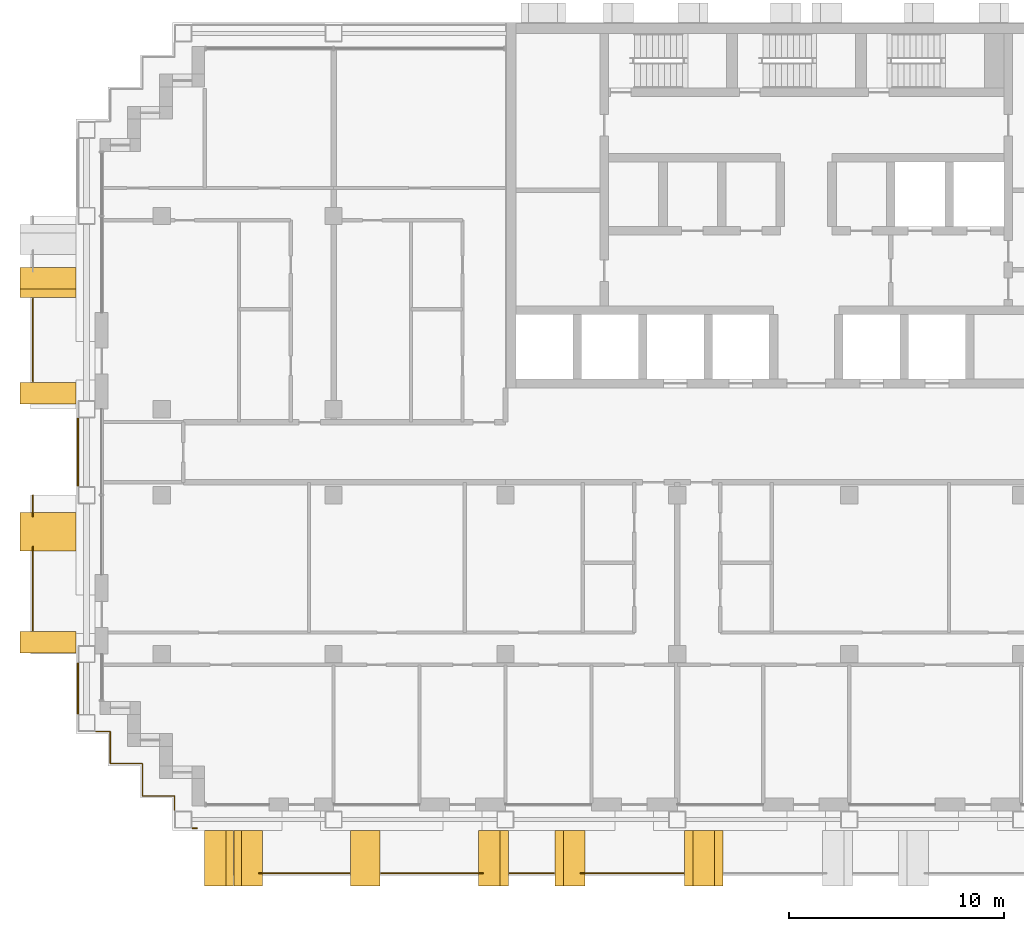
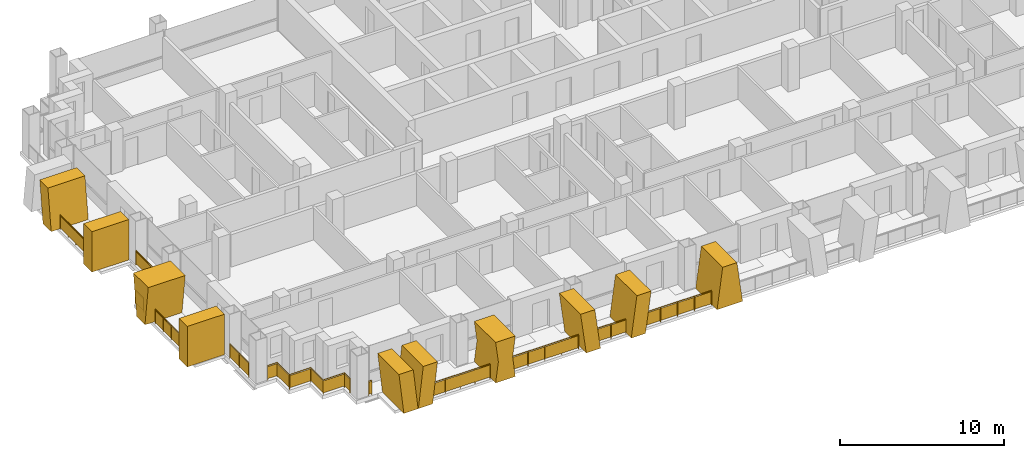
# One storey, part 13 of 17: 11 railings, 10 shading devices.
"""IFC4 building model written with IfcOpenShell, lengths in metres."""

from ifc_helpers import new_model, si_unit, direction, frame, origin, origin_2d, place, context, subcontext, project, spatial, polyline, rectangle, circle, outline, extrude, material, layer, layer_set, type_object, element, save


model = new_model("IFC4")

# Units and contexts
model_context = context("Model", 3, precision=1e-05, world=origin(), true_north=direction((0.0, 1.0)))
body_context = subcontext(model_context, "Body", "Model", "MODEL_VIEW")
ifc_project = project(units=[si_unit("LENGTHUNIT", "METRE"), si_unit("AREAUNIT", "SQUARE_METRE"), si_unit("VOLUMEUNIT", "CUBIC_METRE"), si_unit("PLANEANGLEUNIT", "RADIAN"), si_unit("MASSUNIT", "GRAM", prefix="KILO")], contexts=[model_context])

# Site, building, storey
site_placement = place(None, origin())
site = spatial("IfcSite", under=ifc_project, at=site_placement, CompositionType="ELEMENT")
building_placement = place(site_placement, origin())
building = spatial("IfcBuilding", under=site, at=building_placement, Name="Vidyagriha Tower", CompositionType="ELEMENT")
storey_placement = place(building_placement, frame((0.0, 0.0, 148.60009765625)))
storey = spatial("IfcBuildingStorey", under=building, at=storey_placement, Name="L39", CompositionType="ELEMENT", Elevation=148.60009765625)

# Railings
ifc_material_1 = material(Name="Steel ASTM A500 Grade C black painted", Category="steel")
railing_type_1 = type_object("IfcRailingType", Name="Balcony guard 1100", PredefinedType="BALUSTRADE", material=ifc_material_1)
railing_1_placement = place(storey_placement, frame((-36.0, 7.14990234375, 0.0)))
element("IfcRailing", 1, at=railing_1_placement, inside=storey, type_object=railing_type_1, Name="Balcony guard L39 R16.1-3", PredefinedType="BALUSTRADE", context=body_context, shape_type="SweptSolid", body=[
    extrude(circle(Radius=0.02490234375, at=origin_2d()), frame((0.0, 0.0, 1.0751953125), z_axis=(0.0, -1.0, 0.0), x_axis=(1.0, 0.0, 0.0)), (0.0, 0.0, 1.0), 3.849853515625),
    extrude(circle(Radius=0.02001953125, at=origin_2d()), origin(), (0.0, 0.0, 1.0), 1.050048828125),
    extrude(circle(Radius=0.02001953125, at=origin_2d()), frame((0.0, -0.96240234375, 0.0)), (0.0, 0.0, 1.0), 1.050048828125),
    extrude(circle(Radius=0.02001953125, at=origin_2d()), frame((0.0, -1.9248046875, 0.0)), (0.0, 0.0, 1.0), 1.050048828125),
    extrude(circle(Radius=0.02001953125, at=origin_2d()), frame((0.0, -2.887451171875, 0.0)), (0.0, 0.0, 1.0), 1.050048828125),
    extrude(circle(Radius=0.02001953125, at=origin_2d()), frame((0.0, -3.849853515625, 0.0)), (0.0, 0.0, 1.0), 1.050048828125),
    extrude(rectangle(XDim=0.010009765625, YDim=0.900146484375, at=origin_2d()), frame((0.0, 0.0, 0.550048828125), z_axis=(0.0, -1.0, 0.0), x_axis=(1.0, 0.0, 0.0)), (0.0, 0.0, 1.0), 3.849853515625),
])
railing_2_placement = place(storey_placement, frame((-36.0, -2.0, 0.0)))
element("IfcRailing", 2, at=railing_2_placement, inside=storey, type_object=railing_type_1, Name="Balcony guard L39 R16.2-1", PredefinedType="BALUSTRADE", context=body_context, shape_type="SweptSolid", body=[
    extrude(circle(Radius=0.02490234375, at=origin_2d()), frame((0.0, 0.0, 1.0751953125), z_axis=(0.0, -1.0, 0.0), x_axis=(1.0, 0.0, 0.0)), (0.0, 0.0, 1.0), 0.99658203125),
    extrude(circle(Radius=0.02001953125, at=origin_2d()), origin(), (0.0, 0.0, 1.0), 1.050048828125),
    extrude(circle(Radius=0.02001953125, at=origin_2d()), frame((0.0, -0.99658203125, 0.0)), (0.0, 0.0, 1.0), 1.050048828125),
    extrude(rectangle(XDim=0.010009765625, YDim=0.900146484375, at=origin_2d()), frame((0.0, 0.0, 0.550048828125), z_axis=(0.0, -1.0, 0.0), x_axis=(1.0, 0.0, 0.0)), (0.0, 0.0, 1.0), 0.99658203125),
])
railing_3_placement = place(storey_placement, frame((-36.0, -4.4033203125, 0.0)))
element("IfcRailing", 3, at=railing_3_placement, inside=storey, type_object=railing_type_1, Name="Balcony guard L39 R16.2-2", PredefinedType="BALUSTRADE", context=body_context, shape_type="SweptSolid", body=[
    extrude(circle(Radius=0.02490234375, at=origin_2d()), frame((0.0, 0.0, 1.0751953125), z_axis=(0.0, -1.0, 0.0), x_axis=(1.0, 0.0, 0.0)), (0.0, 0.0, 1.0), 3.896728515625),
    extrude(circle(Radius=0.02001953125, at=origin_2d()), origin(), (0.0, 0.0, 1.0), 1.050048828125),
    extrude(circle(Radius=0.02001953125, at=origin_2d()), frame((0.0, -0.97412109375, 0.0)), (0.0, 0.0, 1.0), 1.050048828125),
    extrude(circle(Radius=0.02001953125, at=origin_2d()), frame((0.0, -1.9482421875, 0.0)), (0.0, 0.0, 1.0), 1.050048828125),
    extrude(circle(Radius=0.02001953125, at=origin_2d()), frame((0.0, -2.922607421875, 0.0)), (0.0, 0.0, 1.0), 1.050048828125),
    extrude(circle(Radius=0.02001953125, at=origin_2d()), frame((0.0, -3.896728515625, 0.0)), (0.0, 0.0, 1.0), 1.050048828125),
    extrude(rectangle(XDim=0.010009765625, YDim=0.900146484375, at=origin_2d()), frame((0.0, 0.0, 0.550048828125), z_axis=(0.0, -1.0, 0.0), x_axis=(1.0, 0.0, 0.0)), (0.0, 0.0, 1.0), 3.896728515625),
])
railing_4_placement = place(storey_placement, frame((-25.459716796875, -19.60009765625, 0.0)))
element("IfcRailing", 4, at=railing_4_placement, inside=storey, type_object=railing_type_1, Name="Balcony guard L39 R23.1-1", PredefinedType="BALUSTRADE", context=body_context, shape_type="SweptSolid", body=[
    extrude(circle(Radius=0.02490234375, at=origin_2d()), frame((0.0, 0.0, 1.0751953125), z_axis=(1.0, 0.0, 0.0), x_axis=(0.0, 1.0, 0.0)), (0.0, 0.0, 1.0), 4.193115234375),
    extrude(circle(Radius=0.02001953125, at=origin_2d()), origin(), (0.0, 0.0, 1.0), 1.050048828125),
    extrude(circle(Radius=0.02001953125, at=origin_2d()), frame((1.04833984375, 0.0, 0.0)), (0.0, 0.0, 1.0), 1.050048828125),
    extrude(circle(Radius=0.02001953125, at=origin_2d()), frame((2.0966796875, 0.0, 0.0)), (0.0, 0.0, 1.0), 1.050048828125),
    extrude(circle(Radius=0.02001953125, at=origin_2d()), frame((3.144775390625, 0.0, 0.0)), (0.0, 0.0, 1.0), 1.050048828125),
    extrude(circle(Radius=0.02001953125, at=origin_2d()), frame((4.193115234375, 0.0, 0.0)), (0.0, 0.0, 1.0), 1.050048828125),
    extrude(rectangle(XDim=0.010009765625, YDim=0.900146484375, at=origin_2d()), frame((0.0, 0.0, 0.550048828125), z_axis=(1.0, 0.0, 0.0), x_axis=(0.0, 1.0, 0.0)), (0.0, 0.0, 1.0), 4.193115234375),
])
railing_5_placement = place(storey_placement, frame((-19.783203125, -19.60009765625, 0.0)))
element("IfcRailing", 5, at=railing_5_placement, inside=storey, type_object=railing_type_1, Name="Balcony guard L39 R23.1-2", PredefinedType="BALUSTRADE", context=body_context, shape_type="SweptSolid", body=[
    extrude(circle(Radius=0.02490234375, at=origin_2d()), frame((0.0, 0.0, 1.0751953125), z_axis=(1.0, 0.0, 0.0), x_axis=(0.0, 1.0, 0.0)), (0.0, 0.0, 1.0), 4.726806640625),
    extrude(circle(Radius=0.02001953125, at=origin_2d()), origin(), (0.0, 0.0, 1.0), 1.050048828125),
    extrude(circle(Radius=0.02001953125, at=origin_2d()), frame((1.181640625, 0.0, 0.0)), (0.0, 0.0, 1.0), 1.050048828125),
    extrude(circle(Radius=0.02001953125, at=origin_2d()), frame((2.36328125, 0.0, 0.0)), (0.0, 0.0, 1.0), 1.050048828125),
    extrude(circle(Radius=0.02001953125, at=origin_2d()), frame((3.545166015625, 0.0, 0.0)), (0.0, 0.0, 1.0), 1.050048828125),
    extrude(circle(Radius=0.02001953125, at=origin_2d()), frame((4.726806640625, 0.0, 0.0)), (0.0, 0.0, 1.0), 1.050048828125),
    extrude(rectangle(XDim=0.010009765625, YDim=0.900146484375, at=origin_2d()), frame((0.0, 0.0, 0.550048828125), z_axis=(1.0, 0.0, 0.0), x_axis=(0.0, 1.0, 0.0)), (0.0, 0.0, 1.0), 4.726806640625),
])
railing_6_placement = place(storey_placement, frame((-13.804931640625, -19.60009765625, 0.0)))
element("IfcRailing", 6, at=railing_6_placement, inside=storey, type_object=railing_type_1, Name="Balcony guard L39 R23.1-3", PredefinedType="BALUSTRADE", context=body_context, shape_type="SweptSolid", body=[
    extrude(circle(Radius=0.02490234375, at=origin_2d()), frame((0.0, 0.0, 1.0751953125), z_axis=(1.0, 0.0, 0.0), x_axis=(0.0, 1.0, 0.0)), (0.0, 0.0, 1.0), 2.059814453125),
    extrude(circle(Radius=0.02001953125, at=origin_2d()), origin(), (0.0, 0.0, 1.0), 1.050048828125),
    extrude(circle(Radius=0.02001953125, at=origin_2d()), frame((1.02978515625, 0.0, 0.0)), (0.0, 0.0, 1.0), 1.050048828125),
    extrude(circle(Radius=0.02001953125, at=origin_2d()), frame((2.059814453125, 0.0, 0.0)), (0.0, 0.0, 1.0), 1.050048828125),
    extrude(rectangle(XDim=0.010009765625, YDim=0.900146484375, at=origin_2d()), frame((0.0, 0.0, 0.550048828125), z_axis=(1.0, 0.0, 0.0), x_axis=(0.0, 1.0, 0.0)), (0.0, 0.0, 1.0), 2.059814453125),
])
railing_7_placement = place(storey_placement, frame((-10.49365234375, -19.60009765625, 0.0)))
element("IfcRailing", 7, at=railing_7_placement, inside=storey, type_object=railing_type_1, Name="Balcony guard L39 R23.1-4", PredefinedType="BALUSTRADE", context=body_context, shape_type="SweptSolid", body=[
    extrude(circle(Radius=0.02490234375, at=origin_2d()), frame((0.0, 0.0, 1.0751953125), z_axis=(1.0, 0.0, 0.0), x_axis=(0.0, 1.0, 0.0)), (0.0, 0.0, 1.0), 4.773681640625),
    extrude(circle(Radius=0.02001953125, at=origin_2d()), origin(), (0.0, 0.0, 1.0), 1.050048828125),
    extrude(circle(Radius=0.02001953125, at=origin_2d()), frame((1.193359375, 0.0, 0.0)), (0.0, 0.0, 1.0), 1.050048828125),
    extrude(circle(Radius=0.02001953125, at=origin_2d()), frame((2.38671875, 0.0, 0.0)), (0.0, 0.0, 1.0), 1.050048828125),
    extrude(circle(Radius=0.02001953125, at=origin_2d()), frame((3.580322265625, 0.0, 0.0)), (0.0, 0.0, 1.0), 1.050048828125),
    extrude(circle(Radius=0.02001953125, at=origin_2d()), frame((4.773681640625, 0.0, 0.0)), (0.0, 0.0, 1.0), 1.050048828125),
    extrude(rectangle(XDim=0.010009765625, YDim=0.900146484375, at=origin_2d()), frame((0.0, 0.0, 0.550048828125), z_axis=(1.0, 0.0, 0.0), x_axis=(0.0, 1.0, 0.0)), (0.0, 0.0, 1.0), 4.773681640625),
])

# Shading devices
ifc_material_2 = material(Name="Precast concrete C40/50 with buff brick facing", Category="concrete")
ifc_layer_1 = layer(ifc_material_2, 1.0)
ifc_layer_set_1 = layer_set([ifc_layer_1], Name="Precast concrete C40/50 with buff brick facing")
shading_device_type_1 = type_object("IfcShadingDeviceType", Name="Brick-faced blade fin arm leaning 8 degrees", PredefinedType="USERDEFINED", material=ifc_layer_set_1)
shading_device_1_placement = place(storey_placement, frame((-35.300048828125, 8.60009765625, 0.0), z_axis=(0.0, 0.0, 1.0), x_axis=(0.0, -1.0, 0.0)))
element("IfcShadingDevice", 8, at=shading_device_1_placement, inside=storey, type_object=shading_device_type_1, Name="Leaning blade fin L39 R16.300a", ObjectType="BLADE FIN", PredefinedType="USERDEFINED", context=body_context, shape_type="SweptSolid", body=[
    extrude(outline(polyline([(0.39990234375, 0.0), (1.39990234375, 0.0), (1.0, 3.0), (0.0, 3.0), (0.39990234375, 0.0)])), frame((0.0, 1.300048828125, 0.0), z_axis=(0.0, -1.0, 0.0), x_axis=(1.0, 0.0, 0.0)), (0.0, 0.0, 1.0), 2.60009765625),
])
shading_device_2_placement = place(storey_placement, frame((-28.0, -18.89990234375, 0.0)))
element("IfcShadingDevice", 9, at=shading_device_2_placement, inside=storey, type_object=shading_device_type_1, Name="Leaning blade fin L39 R23.0a", ObjectType="BLADE FIN", PredefinedType="USERDEFINED", context=body_context, shape_type="SweptSolid", body=[
    extrude(outline(polyline([(0.340087890625, 0.0), (1.340087890625, 0.0), (1.0, 3.0), (0.0, 3.0), (0.340087890625, 0.0)])), frame((0.0, 1.300048828125, 0.0), z_axis=(0.0, -1.0, 0.0), x_axis=(1.0, 0.0, 0.0)), (0.0, 0.0, 1.0), 2.60009765625),
])
shading_device_3_placement = place(storey_placement, frame((-26.639892578125, -18.89990234375, 0.0)))
element("IfcShadingDevice", 10, at=shading_device_3_placement, inside=storey, type_object=shading_device_type_1, Name="Leaning blade fin L39 R23.0b", ObjectType="BLADE FIN", PredefinedType="USERDEFINED", context=body_context, shape_type="SweptSolid", body=[
    extrude(outline(polyline([(0.0, 0.0), (1.0, 0.0), (1.340087890625, 3.0), (0.340087890625, 3.0), (0.0, 0.0)])), frame((0.0, 1.300048828125, 0.0), z_axis=(0.0, -1.0, 0.0), x_axis=(1.0, 0.0, 0.0)), (0.0, 0.0, 1.0), 2.60009765625),
])
shading_device_4_placement = place(storey_placement, frame((-11.695068359375, -18.89990234375, 0.0)))
element("IfcShadingDevice", 11, at=shading_device_4_placement, inside=storey, type_object=shading_device_type_1, Name="Leaning blade fin L39 R23.1400a", ObjectType="BLADE FIN", PredefinedType="USERDEFINED", context=body_context, shape_type="SweptSolid", body=[
    extrude(outline(polyline([(0.0, 0.0), (1.0, 0.0), (1.39501953125, 3.0), (0.39501953125, 3.0), (0.0, 0.0)])), frame((0.0, 1.300048828125, 0.0), z_axis=(0.0, -1.0, 0.0), x_axis=(1.0, 0.0, 0.0)), (0.0, 0.0, 1.0), 2.60009765625),
])
shading_device_5_placement = place(storey_placement, frame((-15.25, -18.89990234375, 0.0)))
element("IfcShadingDevice", 12, at=shading_device_5_placement, inside=storey, type_object=shading_device_type_1, Name="Leaning blade fin L39 R23.1400b", ObjectType="BLADE FIN", PredefinedType="USERDEFINED", context=body_context, shape_type="SweptSolid", body=[
    extrude(outline(polyline([(0.39501953125, 0.0), (1.39501953125, 0.0), (1.0, 3.0), (0.0, 3.0), (0.39501953125, 0.0)])), frame((0.0, 1.300048828125, 0.0), z_axis=(0.0, -1.0, 0.0), x_axis=(1.0, 0.0, 0.0)), (0.0, 0.0, 1.0), 2.60009765625),
])
ifc_material_3 = material(Name="Precast concrete C40/50 with buff brick facing", Category="concrete")
ifc_layer_2 = layer(ifc_material_3, 1.0)
ifc_layer_set_2 = layer_set([ifc_layer_2], Name="Precast concrete C40/50 with buff brick facing")
shading_device_type_2 = type_object("IfcShadingDeviceType", Name="Brick-faced blade fin forking 8 degrees", PredefinedType="USERDEFINED", material=ifc_layer_set_2)
shading_device_6_placement = place(storey_placement, frame((-35.300048828125, -2.800048828125, 0.0), z_axis=(0.0, 0.0, 1.0), x_axis=(0.0, -1.0, 0.0)))
element("IfcShadingDevice", 13, at=shading_device_6_placement, inside=storey, type_object=shading_device_type_2, Name="Forked blade fin L39 R16.1600a", ObjectType="BLADE FIN", PredefinedType="USERDEFINED", context=body_context, shape_type="SweptSolid", body=[
    extrude(outline(polyline([(0.39990234375, 0.0), (1.39990234375, 0.0), (1.800048828125, 3.0), (0.0, 3.0), (0.39990234375, 0.0)])), frame((0.0, 1.300048828125, 0.0), z_axis=(0.0, -1.0, 0.0), x_axis=(1.0, 0.0, 0.0)), (0.0, 0.0, 1.0), 2.60009765625),
])
shading_device_7_placement = place(storey_placement, frame((-21.216796875, -18.89990234375, 0.0)))
element("IfcShadingDevice", 14, at=shading_device_7_placement, inside=storey, type_object=shading_device_type_2, Name="Forked blade fin L39 R23.600a", ObjectType="BLADE FIN", PredefinedType="USERDEFINED", context=body_context, shape_type="SweptSolid", body=[
    extrude(outline(polyline([(1.38330078125, 0.0), (1.191650390625, 1.5), (1.38330078125, 3.0), (0.0, 3.0), (0.191650390625, 1.5), (0.0, 0.0), (1.38330078125, 0.0)])), frame((0.0, 1.300048828125, 0.0), z_axis=(0.0, -1.0, 0.0), x_axis=(1.0, 0.0, 0.0)), (0.0, 0.0, 1.0), 2.60009765625),
])
shading_device_8_placement = place(storey_placement, frame((-5.669921875, -18.89990234375, 0.0)))
element("IfcShadingDevice", 15, at=shading_device_8_placement, inside=storey, type_object=shading_device_type_2, Name="Forked blade fin L39 R23.2200a", ObjectType="BLADE FIN", PredefinedType="USERDEFINED", context=body_context, shape_type="SweptSolid", body=[
    extrude(outline(polyline([(0.0, 0.0), (1.7900390625, 0.0), (1.39501953125, 3.0), (0.39501953125, 3.0), (0.0, 0.0)])), frame((0.0, 1.300048828125, 0.0), z_axis=(0.0, -1.0, 0.0), x_axis=(1.0, 0.0, 0.0)), (0.0, 0.0, 1.0), 2.60009765625),
])
ifc_material_4 = material(Name="Precast concrete C40/50 with buff brick facing", Category="concrete")
ifc_layer_3 = layer(ifc_material_4, 1.0)
ifc_layer_set_3 = layer_set([ifc_layer_3], Name="Precast concrete C40/50 with buff brick facing")
shading_device_type_3 = type_object("IfcShadingDeviceType", Name="Brick-faced blade fin stem 1000", PredefinedType="USERDEFINED", material=ifc_layer_set_3)
for number, where, z_axis, x_axis, name in (
    (16, (-35.300048828125, 3.25, 0.0), (0.0, 0.0, 1.0), (0.0, -1.0, 0.0), "Stem blade fin L39 R16.1200a"),
    (17, (-35.300048828125, -8.35009765625, 0.0), (0.0, 0.0, 1.0), (0.0, -1.0, 0.0), "Stem blade fin L39 R16.2340a"),
):
    element("IfcShadingDevice", number, at=place(storey_placement, frame(where, z_axis=z_axis, x_axis=x_axis)), inside=storey, type_object=shading_device_type_3, Name=name, ObjectType="BLADE FIN", PredefinedType="USERDEFINED", context=body_context, shape_type="SweptSolid", body=[
        extrude(outline(polyline([(0.0, 0.0), (1.0, 0.0), (1.0, 3.0), (0.0, 3.0), (0.0, 0.0)])), frame((0.0, 1.300048828125, 0.0), z_axis=(0.0, -1.0, 0.0), x_axis=(1.0, 0.0, 0.0)), (0.0, 0.0, 1.0), 2.60009765625),
    ])

# Railings
ifc_material_5 = material(Name="Steel ASTM A500 Grade C black painted", Category="steel")
railing_type_2 = type_object("IfcRailingType", Name="Gallery guard 1100", PredefinedType="GUARDRAIL", material=ifc_material_5)
railing_8_placement = place(storey_placement, frame((-33.89990234375, -12.169921875, 0.0)))
element("IfcRailing", 18, at=railing_8_placement, inside=storey, type_object=railing_type_2, Name="Gallery guard L39 1", PredefinedType="GUARDRAIL", context=body_context, shape_type="SweptSolid", body=[
    extrude(circle(Radius=0.02490234375, at=origin_2d()), frame((0.0, 0.0, 1.0751953125), z_axis=(0.0, 1.0, 0.0), x_axis=(-1.0, 0.0, 0.0)), (0.0, 0.0, 1.0), 2.33984375),
    extrude(circle(Radius=0.02001953125, at=origin_2d()), origin(), (0.0, 0.0, 1.0), 1.050048828125),
    extrude(circle(Radius=0.02001953125, at=origin_2d()), frame((0.0, 1.169921875, 0.0)), (0.0, 0.0, 1.0), 1.050048828125),
    extrude(circle(Radius=0.02001953125, at=origin_2d()), frame((0.0, 2.33984375, 0.0)), (0.0, 0.0, 1.0), 1.050048828125),
    extrude(rectangle(XDim=0.010009765625, YDim=0.900146484375, at=origin_2d()), frame((0.0, 0.0, 0.550048828125), z_axis=(0.0, 1.0, 0.0), x_axis=(-1.0, 0.0, 0.0)), (0.0, 0.0, 1.0), 2.33984375),
])
railing_9_placement = place(storey_placement, frame((-33.89990234375, -1.570068359375, 0.0)))
element("IfcRailing", 19, at=railing_9_placement, inside=storey, type_object=railing_type_2, Name="Gallery guard L39 2", PredefinedType="GUARDRAIL", context=body_context, shape_type="SweptSolid", body=[
    extrude(circle(Radius=0.02490234375, at=origin_2d()), frame((0.0, 0.0, 1.0751953125), z_axis=(0.0, 1.0, 0.0), x_axis=(-1.0, 0.0, 0.0)), (0.0, 0.0, 1.0), 3.14013671875),
    extrude(circle(Radius=0.02001953125, at=origin_2d()), origin(), (0.0, 0.0, 1.0), 1.050048828125),
    extrude(circle(Radius=0.02001953125, at=origin_2d()), frame((0.0, 1.046630859375, 0.0)), (0.0, 0.0, 1.0), 1.050048828125),
    extrude(circle(Radius=0.02001953125, at=origin_2d()), frame((0.0, 2.093505859375, 0.0)), (0.0, 0.0, 1.0), 1.050048828125),
    extrude(circle(Radius=0.02001953125, at=origin_2d()), frame((0.0, 3.14013671875, 0.0)), (0.0, 0.0, 1.0), 1.050048828125),
    extrude(rectangle(XDim=0.010009765625, YDim=0.900146484375, at=origin_2d()), frame((0.0, 0.0, 0.550048828125), z_axis=(0.0, 1.0, 0.0), x_axis=(-1.0, 0.0, 0.0)), (0.0, 0.0, 1.0), 3.14013671875),
])
railing_10_placement = place(storey_placement, frame((-29.39990234375, -16.669921875, 0.0)))
element("IfcRailing", 20, at=railing_10_placement, inside=storey, type_object=railing_type_2, Name="Gallery guard L39 4", PredefinedType="GUARDRAIL", context=body_context, shape_type="SweptSolid", body=[
    extrude(circle(Radius=0.02490234375, at=origin_2d()), frame((0.0, 0.0, 1.0751953125), z_axis=(0.0, 1.0, 0.0), x_axis=(-1.0, 0.0, 0.0)), (0.0, 0.0, 1.0), 0.669921875),
    extrude(circle(Radius=0.02490234375, at=origin_2d()), frame((0.0, 0.669921875, 1.0751953125), z_axis=(-1.0, 0.0, 0.0), x_axis=(0.0, -1.0, 0.0)), (0.0, 0.0, 1.0), 1.5),
    extrude(circle(Radius=0.02490234375, at=origin_2d()), frame((-1.5, 0.669921875, 1.0751953125), z_axis=(0.0, 1.0, 0.0), x_axis=(-1.0, 0.0, 0.0)), (0.0, 0.0, 1.0), 1.5),
    extrude(circle(Radius=0.02490234375, at=origin_2d()), frame((-1.5, 2.169921875, 1.0751953125), z_axis=(-1.0, 0.0, 0.0), x_axis=(0.0, -1.0, 0.0)), (0.0, 0.0, 1.0), 1.5),
    extrude(circle(Radius=0.02490234375, at=origin_2d()), frame((-3.0, 2.169921875, 1.0751953125), z_axis=(0.0, 1.0, 0.0), x_axis=(-1.0, 0.0, 0.0)), (0.0, 0.0, 1.0), 1.5),
    extrude(circle(Radius=0.02490234375, at=origin_2d()), frame((-3.0, 3.669921875, 1.0751953125), z_axis=(-1.0, 0.0, 0.0), x_axis=(0.0, -1.0, 0.0)), (0.0, 0.0, 1.0), 0.670166015625),
    extrude(circle(Radius=0.02001953125, at=origin_2d()), origin(), (0.0, 0.0, 1.0), 1.050048828125),
    extrude(circle(Radius=0.02001953125, at=origin_2d()), frame((0.0, 0.669921875, 0.0)), (0.0, 0.0, 1.0), 1.050048828125),
    extrude(circle(Radius=0.02001953125, at=origin_2d()), frame((-1.5, 0.669921875, 0.0)), (0.0, 0.0, 1.0), 1.050048828125),
    extrude(circle(Radius=0.02001953125, at=origin_2d()), frame((-1.5, 2.169921875, 0.0)), (0.0, 0.0, 1.0), 1.050048828125),
    extrude(circle(Radius=0.02001953125, at=origin_2d()), frame((-3.0, 2.169921875, 0.0)), (0.0, 0.0, 1.0), 1.050048828125),
    extrude(circle(Radius=0.02001953125, at=origin_2d()), frame((-3.0, 3.669921875, 0.0)), (0.0, 0.0, 1.0), 1.050048828125),
    extrude(circle(Radius=0.02001953125, at=origin_2d()), frame((-3.670166015625, 3.669921875, 0.0)), (0.0, 0.0, 1.0), 1.050048828125),
    extrude(rectangle(XDim=0.010009765625, YDim=0.900146484375, at=origin_2d()), frame((0.0, 0.0, 0.550048828125), z_axis=(0.0, 1.0, 0.0), x_axis=(-1.0, 0.0, 0.0)), (0.0, 0.0, 1.0), 0.669921875),
    extrude(rectangle(XDim=0.010009765625, YDim=0.900146484375, at=origin_2d()), frame((0.0, 0.669921875, 0.550048828125), z_axis=(-1.0, 0.0, 0.0), x_axis=(0.0, -1.0, 0.0)), (0.0, 0.0, 1.0), 1.5),
    extrude(rectangle(XDim=0.010009765625, YDim=0.900146484375, at=origin_2d()), frame((-1.5, 0.669921875, 0.550048828125), z_axis=(0.0, 1.0, 0.0), x_axis=(-1.0, 0.0, 0.0)), (0.0, 0.0, 1.0), 1.5),
    extrude(rectangle(XDim=0.010009765625, YDim=0.900146484375, at=origin_2d()), frame((-1.5, 2.169921875, 0.550048828125), z_axis=(-1.0, 0.0, 0.0), x_axis=(0.0, -1.0, 0.0)), (0.0, 0.0, 1.0), 1.5),
    extrude(rectangle(XDim=0.010009765625, YDim=0.900146484375, at=origin_2d()), frame((-3.0, 2.169921875, 0.550048828125), z_axis=(0.0, 1.0, 0.0), x_axis=(-1.0, 0.0, 0.0)), (0.0, 0.0, 1.0), 1.5),
    extrude(rectangle(XDim=0.010009765625, YDim=0.900146484375, at=origin_2d()), frame((-3.0, 3.669921875, 0.550048828125), z_axis=(-1.0, 0.0, 0.0), x_axis=(0.0, -1.0, 0.0)), (0.0, 0.0, 1.0), 0.670166015625),
])
railing_11_placement = place(storey_placement, frame((-28.360107421875, -17.5, 0.0)))
element("IfcRailing", 21, at=railing_11_placement, inside=storey, type_object=railing_type_2, Name="Gallery guard L39 6", PredefinedType="GUARDRAIL", context=body_context, shape_type="SweptSolid", body=[
    extrude(circle(Radius=0.02490234375, at=origin_2d()), frame((0.0, 0.0, 1.0751953125), z_axis=(-1.0, 0.0, 0.0), x_axis=(0.0, -1.0, 0.0)), (0.0, 0.0, 1.0), 0.2099609375),
    extrude(circle(Radius=0.02001953125, at=origin_2d()), origin(), (0.0, 0.0, 1.0), 1.050048828125),
    extrude(circle(Radius=0.02001953125, at=origin_2d()), frame((-0.2099609375, 0.0, 0.0)), (0.0, 0.0, 1.0), 1.050048828125),
    extrude(rectangle(XDim=0.010009765625, YDim=0.900146484375, at=origin_2d()), frame((0.0, 0.0, 0.550048828125), z_axis=(-1.0, 0.0, 0.0), x_axis=(0.0, -1.0, 0.0)), (0.0, 0.0, 1.0), 0.2099609375),
])

save(model, "model.ifc")
